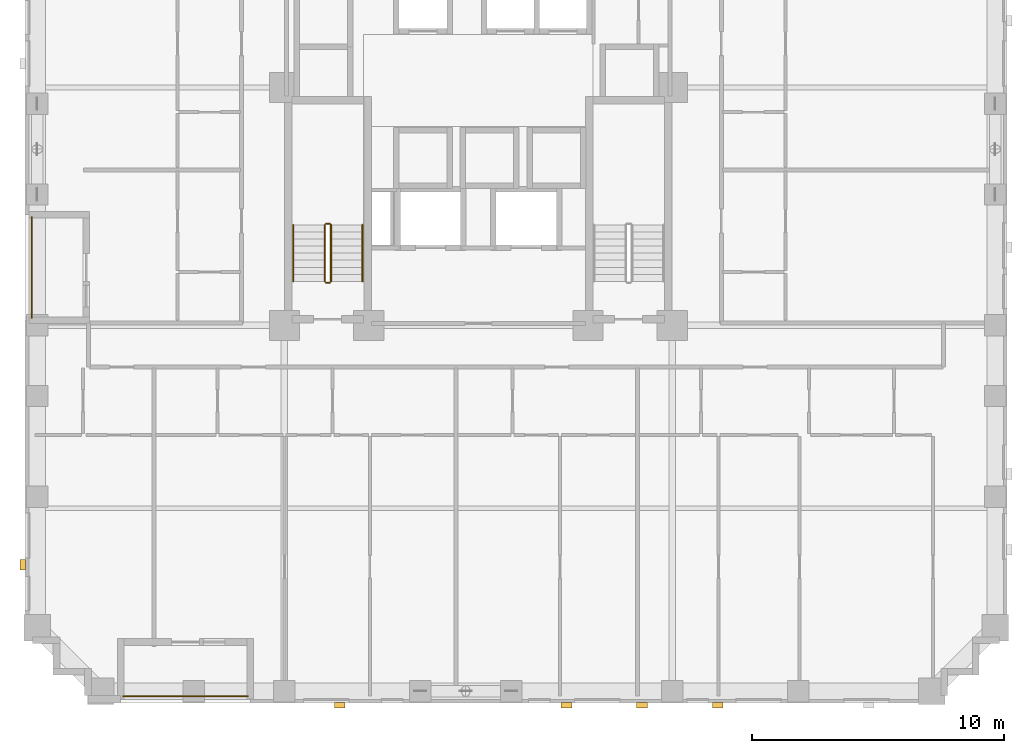
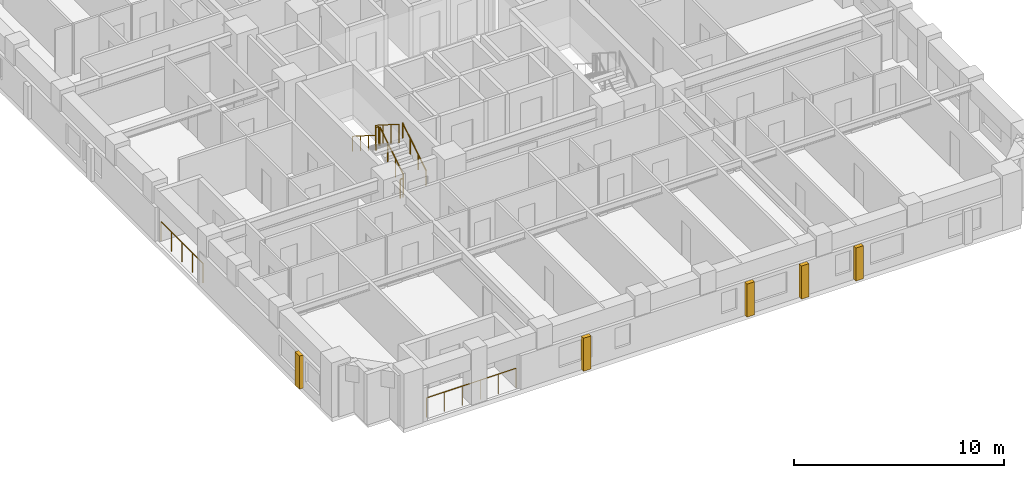
# One storey, part 12 of 14: 8 railings, 5 coverings.
"""IFC4 building model written with IfcOpenShell, lengths in metres."""

from ifc_helpers import new_model, si_unit, derived_unit, direction, frame, origin, origin_2d, place, context, subcontext, project, spatial, rectangle, circle, extrude, material, layer, layer_set, type_object, element, save


model = new_model("IFC4")

# Units and contexts
model_context = context("Model", 3, precision=1e-05, world=origin(), true_north=direction((0.0, 1.0)))
body_context = subcontext(model_context, "Body", "Model", "MODEL_VIEW")
ifc_project = project(units=[si_unit("LENGTHUNIT", "METRE"), si_unit("AREAUNIT", "SQUARE_METRE"), si_unit("VOLUMEUNIT", "CUBIC_METRE"), si_unit("PLANEANGLEUNIT", "RADIAN"), si_unit("MASSUNIT", "GRAM", prefix="KILO"), derived_unit("THERMALTRANSMITTANCEUNIT", [(si_unit("MASSUNIT", "GRAM", prefix="KILO"), 1), (si_unit("TIMEUNIT", "SECOND"), -3), (si_unit("THERMODYNAMICTEMPERATUREUNIT", "KELVIN"), -1)])], contexts=[model_context])

# Site, building, storey
site_placement = place(None, origin())
site = spatial("IfcSite", under=ifc_project, at=site_placement, CompositionType="ELEMENT")
building_placement = place(site_placement, origin())
building = spatial("IfcBuilding", under=site, at=building_placement, Name="Korrvale Station Residences", CompositionType="ELEMENT")
storey_placement = place(building_placement, frame((0.0, 0.0, 54.60009765625)))
storey = spatial("IfcBuildingStorey", under=building, at=storey_placement, Name="L14", CompositionType="ELEMENT", Elevation=54.60009765625)

# Coverings
ifc_material_1 = material(Name="Architectural precast concrete C45/55", Category="concrete")
ifc_layer = layer(ifc_material_1, 0.219970703125, Name="Architectural precast concrete C45/55")
ifc_layer_set = layer_set([ifc_layer], Name="Architectural precast concrete C45/55")
covering_type = type_object("IfcCoveringType", Name="COV-PIER-400", PredefinedType="CLADDING", material=ifc_layer_set)
for number, where, z_axis, x_axis, name in (
    (1, (35.0, -0.090087890625, 0.02490234375), (0.0, 0.0, 1.0), (1.0, 0.0, 0.0), "L14 Architectural Precast Facade Pier 02"),
    (2, (32.0, -0.090087890625, 0.02490234375), (0.0, 0.0, 1.0), (1.0, 0.0, 0.0), "L14 Architectural Precast Facade Pier 03"),
    (3, (29.0, -0.090087890625, 0.02490234375), (0.0, 0.0, 1.0), (1.0, 0.0, 0.0), "L14 Architectural Precast Facade Pier 04"),
    (4, (20.0, -0.090087890625, 0.02490234375), (0.0, 0.0, 1.0), (1.0, 0.0, 0.0), "L14 Architectural Precast Facade Pier 05"),
    (5, (7.409912109375, 5.5, 0.02490234375), (0.0, 0.0, 1.0), (0.0, 1.0, 0.0), "L14 Architectural Precast Facade Pier 12"),
):
    element("IfcCovering", number, at=place(storey_placement, frame(where, z_axis=z_axis, x_axis=x_axis)), inside=storey, type_object=covering_type, Name=name, PredefinedType="CLADDING", context=body_context, shape_type="SweptSolid", body=[
        extrude(rectangle(XDim=0.419921875, YDim=0.219970703125, at=origin_2d()), origin(), (0.0, 0.0, 1.0), 1.925048828125),
    ])

# Railings
ifc_material_2 = material(Name="Powder-coated aluminium picket loggia guard", Category="aluminium")
railing_type_1 = type_object("IfcRailingType", Name="RLG-BAL-1150", PredefinedType="GUARDRAIL", material=ifc_material_2)
railing_1_placement = place(storey_placement, frame((11.39990234375, 0.27001953125, 0.0)))
element("IfcRailing", 6, at=railing_1_placement, inside=storey, type_object=railing_type_1, Name="L14 Recessed Loggia Guardrail BAL-L14-S1", PredefinedType="GUARDRAIL", context=body_context, shape_type="SweptSolid", body=[
    extrude(circle(Radius=0.02392578125, at=origin_2d()), frame((0.0, 0.0, 1.1259765625), z_axis=(1.0, 0.0, 0.0), x_axis=(0.0, 1.0, 0.0)), (0.0, 0.0, 1.0), 4.9501953125),
    extrude(circle(Radius=0.02099609375, at=origin_2d()), origin(), (0.0, 0.0, 1.0), 1.101806640625),
    extrude(circle(Radius=0.02099609375, at=origin_2d()), frame((0.989990234375, 0.0, 0.0)), (0.0, 0.0, 1.0), 1.101806640625),
    extrude(circle(Radius=0.02099609375, at=origin_2d()), frame((1.97998046875, 0.0, 0.0)), (0.0, 0.0, 1.0), 1.101806640625),
    extrude(circle(Radius=0.02099609375, at=origin_2d()), frame((2.97021484375, 0.0, 0.0)), (0.0, 0.0, 1.0), 1.101806640625),
    extrude(circle(Radius=0.02099609375, at=origin_2d()), frame((3.960205078125, 0.0, 0.0)), (0.0, 0.0, 1.0), 1.101806640625),
    extrude(circle(Radius=0.02099609375, at=origin_2d()), frame((4.9501953125, 0.0, 0.0)), (0.0, 0.0, 1.0), 1.101806640625),
])
railing_2_placement = place(storey_placement, frame((7.77001953125, 15.300048828125, 0.0)))
element("IfcRailing", 7, at=railing_2_placement, inside=storey, type_object=railing_type_1, Name="L14 Recessed Loggia Guardrail BAL-L14-W1", PredefinedType="GUARDRAIL", context=body_context, shape_type="SweptSolid", body=[
    extrude(circle(Radius=0.02392578125, at=origin_2d()), frame((0.0, 0.0, 1.1259765625), z_axis=(0.0, 1.0, 0.0), x_axis=(-1.0, 0.0, 0.0)), (0.0, 0.0, 1.0), 4.0),
    extrude(circle(Radius=0.02099609375, at=origin_2d()), origin(), (0.0, 0.0, 1.0), 1.101806640625),
    extrude(circle(Radius=0.02099609375, at=origin_2d()), frame((0.0, 1.0, 0.0)), (0.0, 0.0, 1.0), 1.101806640625),
    extrude(circle(Radius=0.02099609375, at=origin_2d()), frame((0.0, 2.0, 0.0)), (0.0, 0.0, 1.0), 1.101806640625),
    extrude(circle(Radius=0.02099609375, at=origin_2d()), frame((0.0, 3.0, 0.0)), (0.0, 0.0, 1.0), 1.101806640625),
    extrude(circle(Radius=0.02099609375, at=origin_2d()), frame((0.0, 4.0, 0.0)), (0.0, 0.0, 1.0), 1.101806640625),
])
ifc_material_3 = material(Name="Brushed stainless-steel continuous stair handrail", Category="steel")
railing_type_2 = type_object("IfcRailingType", Name="RLG-SHND-900", PredefinedType="HANDRAIL", material=ifc_material_3)
railing_3_placement = place(storey_placement, frame((20.89990234375, 16.75, 0.177734375)))
element("IfcRailing", 8, at=railing_3_placement, inside=storey, type_object=railing_type_2, Name="L14 ST-1 stair handrail 1", PredefinedType="HANDRAIL", context=body_context, shape_type="SweptSolid", body=[
    extrude(circle(Radius=0.02392578125, at=origin_2d()), frame((0.0, 0.0, 0.8759765625), z_axis=(0.0, 0.8442293374, 0.53598211339), x_axis=(-1.0, 0.0, 0.0)), (0.0, 0.0, 1.0), 2.6533203125),
    extrude(circle(Radius=0.02099609375, at=origin_2d()), origin(), (0.0, 0.0, 1.0), 0.851806640625),
    extrude(circle(Radius=0.02099609375, at=origin_2d()), frame((0.0, 0.74658203125, 0.47412109375)), (0.0, 0.0, 1.0), 0.851806640625),
    extrude(circle(Radius=0.02099609375, at=origin_2d()), frame((0.0, 1.493408203125, 0.947998046875)), (0.0, 0.0, 1.0), 0.851806640625),
    extrude(circle(Radius=0.02099609375, at=origin_2d()), frame((0.0, 2.239990234375, 1.422119140625)), (0.0, 0.0, 1.0), 0.851806640625),
])
railing_4_placement = place(storey_placement, frame((18.14990234375, 18.989990234375, 1.777587890625)))
element("IfcRailing", 9, at=railing_4_placement, inside=storey, type_object=railing_type_2, Name="L14 ST-1 stair handrail 2", PredefinedType="HANDRAIL", context=body_context, shape_type="SweptSolid", body=[
    extrude(circle(Radius=0.02392578125, at=origin_2d()), frame((0.0, 0.0, 0.8759765625), z_axis=(0.0, -0.84418770128, 0.536047689118), x_axis=(1.0, 0.0, 0.0)), (0.0, 0.0, 1.0), 2.6533203125),
    extrude(circle(Radius=0.02099609375, at=origin_2d()), origin(), (0.0, 0.0, 1.0), 0.851806640625),
    extrude(circle(Radius=0.02099609375, at=origin_2d()), frame((0.0, -0.74658203125, 0.47412109375)), (0.0, 0.0, 1.0), 0.851806640625),
    extrude(circle(Radius=0.02099609375, at=origin_2d()), frame((0.0, -1.493408203125, 0.9482421875)), (0.0, 0.0, 1.0), 0.851806640625),
    extrude(circle(Radius=0.02099609375, at=origin_2d()), frame((0.0, -2.239990234375, 1.42236328125)), (0.0, 0.0, 1.0), 0.851806640625),
])
ifc_material_4 = material(Name="Galvanised painted tubular steel stair guard", Category="steel")
railing_type_3 = type_object("IfcRailingType", Name="RLG-STR-1100", PredefinedType="GUARDRAIL", material=ifc_material_4)
railing_5_placement = place(storey_placement, frame((19.64990234375, 16.75, 0.177734375)))
element("IfcRailing", 10, at=railing_5_placement, inside=storey, type_object=railing_type_3, Name="L14 ST-1 stair guard 1", PredefinedType="GUARDRAIL", context=body_context, shape_type="SweptSolid", body=[
    extrude(circle(Radius=0.02392578125, at=origin_2d()), frame((0.0, 0.0, 1.076171875), z_axis=(0.0, 0.8442293374, 0.53598211339), x_axis=(-1.0, 0.0, 0.0)), (0.0, 0.0, 1.0), 2.6533203125),
    extrude(circle(Radius=0.02099609375, at=origin_2d()), origin(), (0.0, 0.0, 1.0), 1.052001953125),
    extrude(circle(Radius=0.02099609375, at=origin_2d()), frame((0.0, 0.74658203125, 0.47412109375)), (0.0, 0.0, 1.0), 1.052001953125),
    extrude(circle(Radius=0.02099609375, at=origin_2d()), frame((0.0, 1.493408203125, 0.947998046875)), (0.0, 0.0, 1.0), 1.052001953125),
    extrude(circle(Radius=0.02099609375, at=origin_2d()), frame((0.0, 2.239990234375, 1.422119140625)), (0.0, 0.0, 1.0), 1.052001953125),
])
railing_6_placement = place(storey_placement, frame((19.60009765625, 19.0400390625, 1.599853515625)))
element("IfcRailing", 11, at=railing_6_placement, inside=storey, type_object=railing_type_3, Name="L14 ST-1 stair guard 2", PredefinedType="GUARDRAIL", context=body_context, shape_type="SweptSolid", body=[
    extrude(circle(Radius=0.02392578125, at=origin_2d()), frame((0.0, 0.0, 1.076171875), z_axis=(-1.0, 0.0, 0.0), x_axis=(0.0, -1.0, 0.0)), (0.0, 0.0, 1.0), 0.150146484375),
    extrude(circle(Radius=0.02099609375, at=origin_2d()), origin(), (0.0, 0.0, 1.0), 1.052001953125),
    extrude(circle(Radius=0.02099609375, at=origin_2d()), frame((-0.150146484375, 0.0, 0.0)), (0.0, 0.0, 1.0), 1.052001953125),
])
railing_7_placement = place(storey_placement, frame((19.39990234375, 18.989990234375, 1.777587890625)))
element("IfcRailing", 12, at=railing_7_placement, inside=storey, type_object=railing_type_3, Name="L14 ST-1 stair guard 3", PredefinedType="GUARDRAIL", context=body_context, shape_type="SweptSolid", body=[
    extrude(circle(Radius=0.02392578125, at=origin_2d()), frame((0.0, 0.0, 1.076171875), z_axis=(0.0, -0.84418770128, 0.536047689118), x_axis=(1.0, 0.0, 0.0)), (0.0, 0.0, 1.0), 2.6533203125),
    extrude(circle(Radius=0.02099609375, at=origin_2d()), origin(), (0.0, 0.0, 1.0), 1.052001953125),
    extrude(circle(Radius=0.02099609375, at=origin_2d()), frame((0.0, -0.74658203125, 0.47412109375)), (0.0, 0.0, 1.0), 1.052001953125),
    extrude(circle(Radius=0.02099609375, at=origin_2d()), frame((0.0, -1.493408203125, 0.9482421875)), (0.0, 0.0, 1.0), 1.052001953125),
    extrude(circle(Radius=0.02099609375, at=origin_2d()), frame((0.0, -2.239990234375, 1.42236328125)), (0.0, 0.0, 1.0), 1.052001953125),
])
railing_8_placement = place(storey_placement, frame((19.60009765625, 16.699951171875, 0.0)))
element("IfcRailing", 13, at=railing_8_placement, inside=storey, type_object=railing_type_3, Name="L14 ST-1 stair guard 4", PredefinedType="GUARDRAIL", context=body_context, shape_type="SweptSolid", body=[
    extrude(circle(Radius=0.02392578125, at=origin_2d()), frame((0.0, 0.0, 1.076171875), z_axis=(-1.0, 0.0, 0.0), x_axis=(0.0, -1.0, 0.0)), (0.0, 0.0, 1.0), 0.150146484375),
    extrude(circle(Radius=0.02099609375, at=origin_2d()), origin(), (0.0, 0.0, 1.0), 1.052001953125),
    extrude(circle(Radius=0.02099609375, at=origin_2d()), frame((-0.150146484375, 0.0, 0.0)), (0.0, 0.0, 1.0), 1.052001953125),
])

save(model, "model.ifc")
